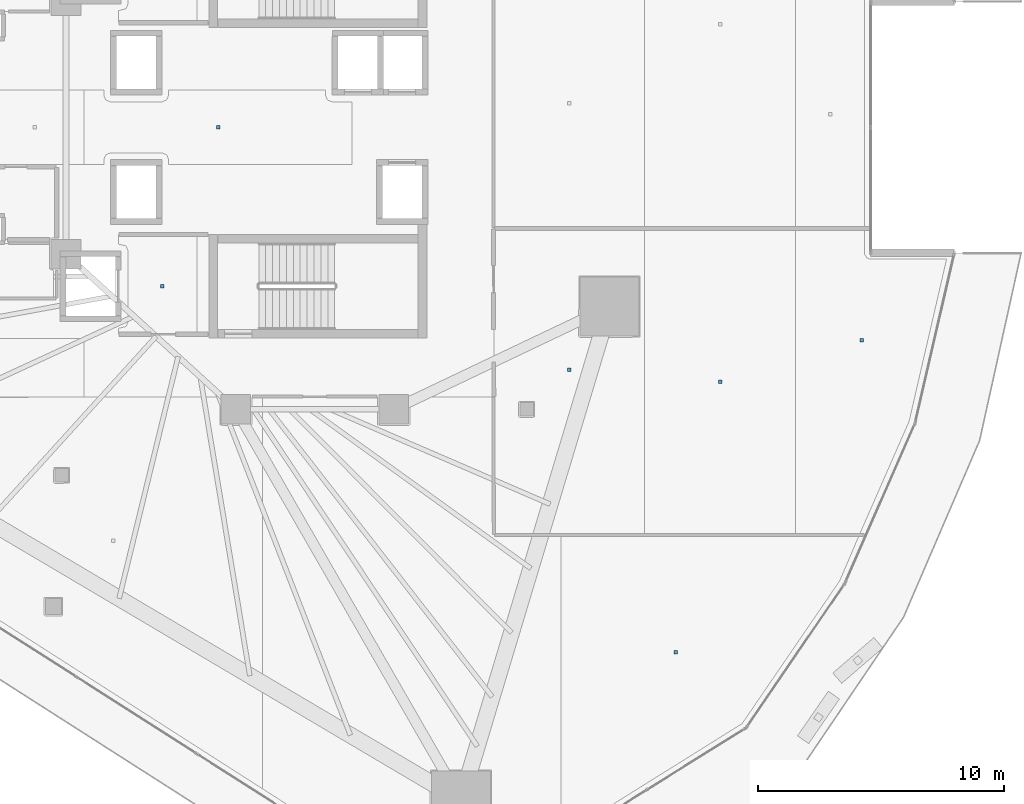
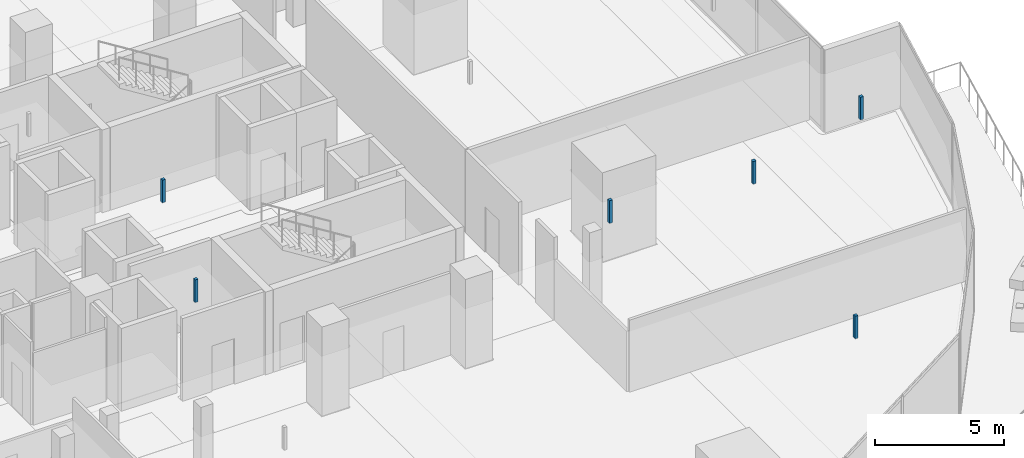
# One storey, part 33 of 45: 6 discrete accessories.
"""IFC4 building model written with IfcOpenShell, lengths in metres."""

import ifcopenshell
import ifcopenshell.guid

model = None  # the IFC model being written
_history = None  # IfcOwnerHistory: only IFC2X3 demands one
_inside = {}  # id of a spatial element -> (the spatial element, [elements in it])
_under = {}  # id of a project, library or spatial element -> (it, [spatial elements below it])
_declared = {}  # id of a project -> (the project, [libraries it declares])
_typed = {}  # id of a type object -> (the type object, [elements of that type])
_made_of = {}  # id of a material, layer set ... -> (it, [elements and type objects made of it])


def new_model(schema):
    """Start an empty IFC model of exactly this schema.

    Asked for "IFC4X3", IfcOpenShell would pick the latest addendum, in which some entities
    have other attributes; the version numbers below select the first issue.
    IFC2X3 requires an IfcOwnerHistory on every rooted entity: one is made here for all.
    """
    global model, _history
    if schema == "IFC4X3":
        model = ifcopenshell.file(schema_version=(4, 3, 0, 0))
    else:
        model = ifcopenshell.file(schema=schema)
    _inside.clear()
    _under.clear()
    _declared.clear()
    _typed.clear()
    _made_of.clear()
    _history = None
    if model.schema == "IFC2X3":
        org = make("IfcOrganization", Name="unknown")
        user = make(
            "IfcPersonAndOrganization",
            ThePerson=make("IfcPerson", FamilyName="unknown"),
            TheOrganization=org,
        )
        app = make(
            "IfcApplication",
            ApplicationDeveloper=org,
            Version="unknown",
            ApplicationFullName="unknown",
            ApplicationIdentifier="unknown",
        )
        _history = make(
            "IfcOwnerHistory",
            OwningUser=user,
            OwningApplication=app,
            ChangeAction="ADDED",
            CreationDate=0,
        )
    return model


def make(cls, **values):
    """One entity of the class cls with the attributes given. An attribute that is None is left unset."""
    return model.create_entity(
        cls, **{name: value for name, value in values.items() if value is not None}
    )


def rooted(cls, **values):
    """An entity with a GlobalId (a new one), such as an element, a storey or a relation."""
    return make(cls, GlobalId=ifcopenshell.guid.new(), OwnerHistory=_history, **values)


def si_unit(unit_type, name, prefix=None):
    """IfcSIUnit, for example si_unit("LENGTHUNIT", "METRE", prefix="MILLI")."""
    return make("IfcSIUnit", UnitType=unit_type, Prefix=prefix, Name=name)


def assignment(units):
    """IfcUnitAssignment: the units of a project."""
    return None if units is None else make("IfcUnitAssignment", Units=units)


def point(xyz):
    """IfcCartesianPoint."""
    return None if xyz is None else make("IfcCartesianPoint", Coordinates=xyz)


def direction(xyz):
    """IfcDirection."""
    return None if xyz is None else make("IfcDirection", DirectionRatios=xyz)


def frame(location, z_axis=None, x_axis=None):
    """IfcAxis2Placement3D, a coordinate frame: its origin and axes. An axis left out is left unset."""
    return make(
        "IfcAxis2Placement3D",
        Location=point(location),
        Axis=direction(z_axis),
        RefDirection=direction(x_axis),
    )


def frame_2d(location, x_axis=None):
    """IfcAxis2Placement2D, a coordinate frame in the plane: its origin and x axis."""
    return make(
        "IfcAxis2Placement2D", Location=point(location), RefDirection=direction(x_axis)
    )


def origin():
    """The frame at (0, 0, 0) with its axes left unset."""
    return frame((0.0, 0.0, 0.0))


def origin_2d():
    """The frame at (0, 0) in the plane with its x axis left unset."""
    return frame_2d((0.0, 0.0))


def place(relative_to, where):
    """IfcLocalPlacement: puts the frame where relative to a parent placement (None: the world)."""
    return make(
        "IfcLocalPlacement", PlacementRelTo=relative_to, RelativePlacement=where
    )


def context(
    kind, dimensions, precision=None, world=None, true_north=None, identifier=None
):
    """IfcGeometricRepresentationContext, for example the 3D "Model" context."""
    return make(
        "IfcGeometricRepresentationContext",
        ContextIdentifier=identifier,
        ContextType=kind,
        CoordinateSpaceDimension=dimensions,
        Precision=precision,
        WorldCoordinateSystem=world,
        TrueNorth=true_north,
    )


def subcontext(parent, identifier, kind, view, scale=None):
    """IfcGeometricRepresentationSubContext, for example "Body" below "Model"."""
    return make(
        "IfcGeometricRepresentationSubContext",
        ContextIdentifier=identifier,
        ContextType=kind,
        ParentContext=parent,
        TargetScale=scale,
        TargetView=view,
    )


def project(units=None, contexts=None):
    """IfcProject with its units and contexts."""
    return rooted(
        "IfcProject",
        Name="project",
        RepresentationContexts=contexts,
        UnitsInContext=assignment(units),
    )


def spatial(cls, under=None, at=None, **own):
    """A site, building, storey or space (cls), placed at a placement, below another one or the project."""
    s = rooted(cls, ObjectPlacement=at, **own)
    if under is not None:
        _under.setdefault(under.id(), (under, []))[1].append(s)
    return s


def profile(cls, at=None, kind="AREA", **sizes):
    """A parametric profile (cls). Its sizes go by their IFC names, for example OverallWidth=200.0."""
    return make(cls, ProfileType=kind, Position=at, **sizes)


def rectangle(**sizes):
    """IfcRectangleProfileDef."""
    return profile("IfcRectangleProfileDef", **sizes)


def extrude(swept, where, along, depth):
    """IfcExtrudedAreaSolid: the profile swept, set in the frame where, extruded along a direction by depth."""
    return make(
        "IfcExtrudedAreaSolid",
        SweptArea=swept,
        Position=where,
        ExtrudedDirection=direction(along),
        Depth=depth,
    )


def shape(context_of_items, identifier, shape_type, items):
    """IfcShapeRepresentation: the items that make up one representation, for example the "Body"."""
    return make(
        "IfcShapeRepresentation",
        ContextOfItems=context_of_items,
        RepresentationIdentifier=identifier,
        RepresentationType=shape_type,
        Items=items,
    )


def material(Name=None, Category=None):
    """IfcMaterial."""
    return make("IfcMaterial", Name=Name, Category=Category)


def made_of(thing, what):
    """Note that an element or type object is made of a material, layer set ...; save() writes the relation."""
    if what is not None:
        _made_of.setdefault(what.id(), (what, []))[1].append(thing)
    return thing


def type_object(cls, material=None, **own):
    """A type object (cls), such as IfcWallType, which elements share."""
    return made_of(rooted(cls, **own), material)


def element(
    cls,
    number,
    at=None,
    inside=None,
    cuts=None,
    type_object=None,
    material=None,
    context=None,
    identifier="Body",
    shape_type=None,
    held_by="IfcProductDefinitionShape",
    body=None,
    shapes=None,
    **own,
):
    """One element of the class cls, such as IfcWall. Its Tag is "e" and its number.

    at: its placement. inside: the storey or other place that contains it. cuts: it is an
    opening in that element (IfcRelVoidsElement). A single representation is given by context,
    identifier, shape_type and body (its items); several are given by shapes. held_by: the class
    of the entity that holds the representations. save() writes the other relations.
    """
    e = rooted(cls, Tag="e%d" % number, ObjectPlacement=at, **own)
    if body is not None:
        shapes = [shape(context, identifier, shape_type, body)]
    if shapes is not None:
        e.Representation = make(held_by, Representations=shapes)
    if inside is not None:
        _inside.setdefault(inside.id(), (inside, []))[1].append(e)
    if cuts is not None:
        rooted(
            "IfcRelVoidsElement", RelatingBuildingElement=cuts, RelatedOpeningElement=e
        )
    if type_object is not None:
        _typed.setdefault(type_object.id(), (type_object, []))[1].append(e)
    return made_of(e, material)


def aggregate(whole, parts):
    """IfcRelAggregates: a whole, such as a stair, and the parts it consists of."""
    return rooted("IfcRelAggregates", RelatingObject=whole, RelatedObjects=parts)


def save(model, path):
    """Write the relations noted so far, then the file.

    IfcRelAggregates (storeys below a building ...), IfcRelContainedInSpatialStructure (elements
    in a storey), IfcRelDefinesByType, IfcRelAssociatesMaterial and IfcRelDeclares: one each for
    every whole, place, type object, material and project.
    """
    for whole, parts in _under.values():
        aggregate(whole, parts)
    for where, things in _inside.values():
        rooted(
            "IfcRelContainedInSpatialStructure",
            RelatedElements=things,
            RelatingStructure=where,
        )
    for kind, things in _typed.values():
        rooted("IfcRelDefinesByType", RelatedObjects=things, RelatingType=kind)
    for what, things in _made_of.values():
        rooted("IfcRelAssociatesMaterial", RelatedObjects=things, RelatingMaterial=what)
    for by, libraries in _declared.values():
        rooted("IfcRelDeclares", RelatingContext=by, RelatedDefinitions=libraries)
    model.write(path)


model = new_model("IFC4")

# Units and contexts
model_context = context("Model", 3, precision=1e-05, world=origin(), true_north=direction((0.0, 1.0)))
body_context = subcontext(model_context, "Body", "Model", "MODEL_VIEW")
ifc_project = project(units=[si_unit("LENGTHUNIT", "METRE"), si_unit("AREAUNIT", "SQUARE_METRE"), si_unit("VOLUMEUNIT", "CUBIC_METRE"), si_unit("PLANEANGLEUNIT", "RADIAN"), si_unit("MASSUNIT", "GRAM", prefix="KILO")], contexts=[model_context])

# Site, building, storey
site_placement = place(None, origin())
site = spatial("IfcSite", under=ifc_project, at=site_placement, CompositionType="ELEMENT")
building_placement = place(site_placement, origin())
building = spatial("IfcBuilding", under=site, at=building_placement, Name="Qorvath Tower", CompositionType="ELEMENT")
storey_placement = place(building_placement, frame((0.0, 0.0, 95.39990234375)))
storey = spatial("IfcBuildingStorey", under=building, at=storey_placement, Name="L21", CompositionType="ELEMENT", Elevation=95.39990234375)

# Discrete accessories
ifc_material = material(Name="Galvanised steel bracket", Category="steel")
discrete_accessory_type = type_object("IfcDiscreteAccessoryType", Name="DA-BRACKET", PredefinedType="BRACKET", material=ifc_material)
for number, where, z_axis, x_axis, name in (
    (1, (-26.590087890625, -6.449951171875, 2.85986328125), (0.0, 0.0, 1.0), (1.0, 0.0, 0.0), "Acoustic Ceiling Suspension Hanger T1-L21-002"),
    (2, (-24.324951171875, 0.0, 2.85986328125), (0.0, 0.0, 1.0), (1.0, 0.0, 0.0), "Acoustic Ceiling Suspension Hanger T1-L21-008"),
    (3, (-5.7392578125, -21.305908203125, 2.85986328125), (0.0, 0.0, 1.0), (1.0, 0.0, 0.0), "Acoustic Ceiling Suspension Hanger T1-L21-014"),
    (4, (-10.068115234375, -9.83447265625, 2.85986328125), (0.0, 0.0, 1.0), (1.0, 0.0, 0.0), "Acoustic Ceiling Suspension Hanger T1-L21-015"),
    (5, (-3.943359375, -10.3212890625, 2.85986328125), (0.0, 0.0, 1.0), (1.0, 0.0, 0.0), "Acoustic Ceiling Suspension Hanger T1-L21-016"),
    (6, (1.8056640625, -8.643798828125, 2.85986328125), (0.0, 0.0, 1.0), (1.0, 0.0, 0.0), "Acoustic Ceiling Suspension Hanger T1-L21-017"),
):
    element("IfcDiscreteAccessory", number, at=place(storey_placement, frame(where, z_axis=z_axis, x_axis=x_axis)), inside=storey, type_object=discrete_accessory_type, Name=name, PredefinedType="NOTDEFINED", context=body_context, shape_type="SweptSolid", body=[
        extrude(rectangle(XDim=0.139892578125, YDim=0.139892578125, at=origin_2d()), origin(), (0.0, 0.0, 1.0), 1.070068359375),
    ])

save(model, "model.ifc")
